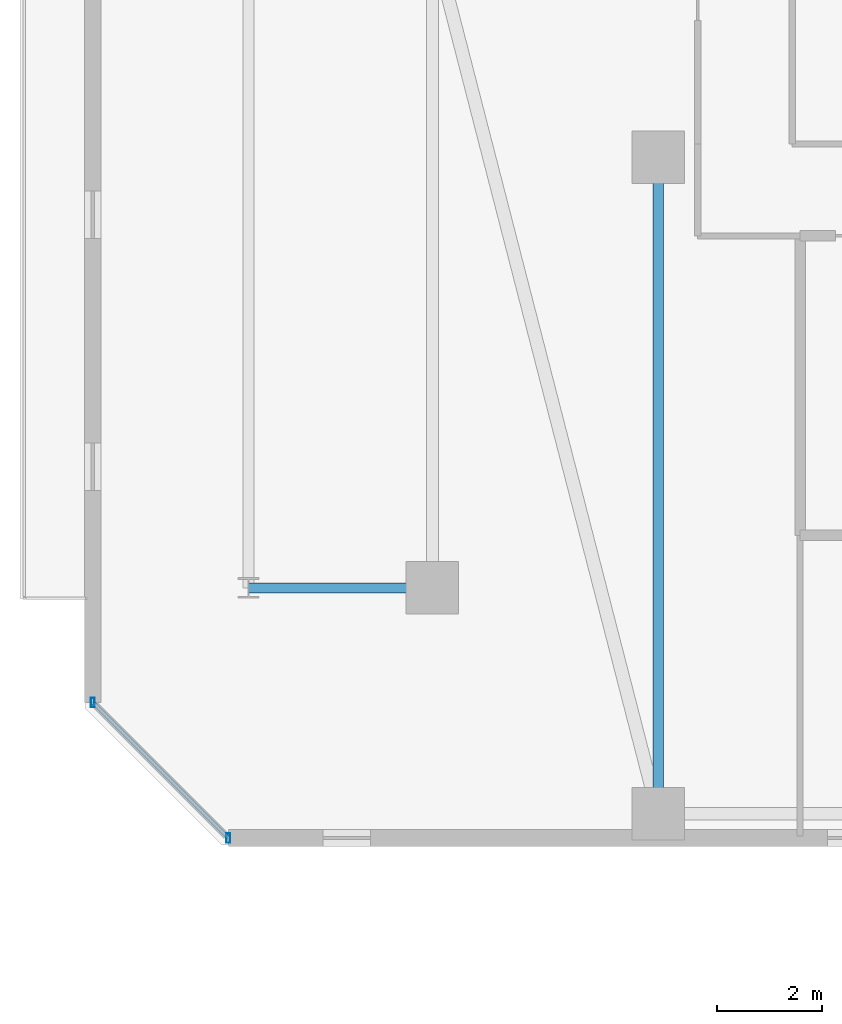
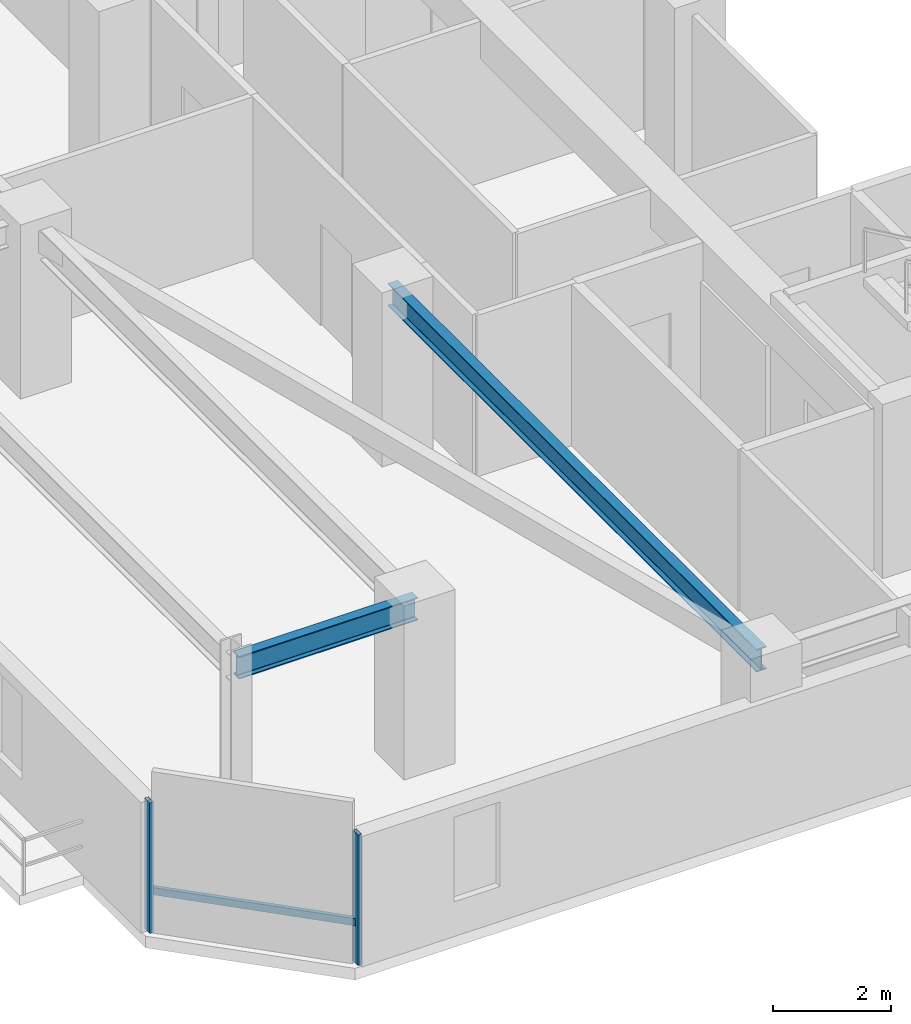
# One storey, part 3 of 33: 3 members, 2 beams, 1 element without a shape of its own.
"""IFC4 building model written with IfcOpenShell, lengths in metres."""

import ifcopenshell
import ifcopenshell.guid

model = None  # the IFC model being written
_history = None  # IfcOwnerHistory: only IFC2X3 demands one
_inside = {}  # id of a spatial element -> (the spatial element, [elements in it])
_under = {}  # id of a project, library or spatial element -> (it, [spatial elements below it])
_declared = {}  # id of a project -> (the project, [libraries it declares])
_typed = {}  # id of a type object -> (the type object, [elements of that type])
_made_of = {}  # id of a material, layer set ... -> (it, [elements and type objects made of it])


def new_model(schema):
    """Start an empty IFC model of exactly this schema.

    Asked for "IFC4X3", IfcOpenShell would pick the latest addendum, in which some entities
    have other attributes; the version numbers below select the first issue.
    IFC2X3 requires an IfcOwnerHistory on every rooted entity: one is made here for all.
    """
    global model, _history
    if schema == "IFC4X3":
        model = ifcopenshell.file(schema_version=(4, 3, 0, 0))
    else:
        model = ifcopenshell.file(schema=schema)
    _inside.clear()
    _under.clear()
    _declared.clear()
    _typed.clear()
    _made_of.clear()
    _history = None
    if model.schema == "IFC2X3":
        org = make("IfcOrganization", Name="unknown")
        user = make(
            "IfcPersonAndOrganization",
            ThePerson=make("IfcPerson", FamilyName="unknown"),
            TheOrganization=org,
        )
        app = make(
            "IfcApplication",
            ApplicationDeveloper=org,
            Version="unknown",
            ApplicationFullName="unknown",
            ApplicationIdentifier="unknown",
        )
        _history = make(
            "IfcOwnerHistory",
            OwningUser=user,
            OwningApplication=app,
            ChangeAction="ADDED",
            CreationDate=0,
        )
    return model


def make(cls, **values):
    """One entity of the class cls with the attributes given. An attribute that is None is left unset."""
    return model.create_entity(
        cls, **{name: value for name, value in values.items() if value is not None}
    )


def rooted(cls, **values):
    """An entity with a GlobalId (a new one), such as an element, a storey or a relation."""
    return make(cls, GlobalId=ifcopenshell.guid.new(), OwnerHistory=_history, **values)


def si_unit(unit_type, name, prefix=None):
    """IfcSIUnit, for example si_unit("LENGTHUNIT", "METRE", prefix="MILLI")."""
    return make("IfcSIUnit", UnitType=unit_type, Prefix=prefix, Name=name)


def assignment(units):
    """IfcUnitAssignment: the units of a project."""
    return None if units is None else make("IfcUnitAssignment", Units=units)


def point(xyz):
    """IfcCartesianPoint."""
    return None if xyz is None else make("IfcCartesianPoint", Coordinates=xyz)


def direction(xyz):
    """IfcDirection."""
    return None if xyz is None else make("IfcDirection", DirectionRatios=xyz)


def frame(location, z_axis=None, x_axis=None):
    """IfcAxis2Placement3D, a coordinate frame: its origin and axes. An axis left out is left unset."""
    return make(
        "IfcAxis2Placement3D",
        Location=point(location),
        Axis=direction(z_axis),
        RefDirection=direction(x_axis),
    )


def frame_2d(location, x_axis=None):
    """IfcAxis2Placement2D, a coordinate frame in the plane: its origin and x axis."""
    return make(
        "IfcAxis2Placement2D", Location=point(location), RefDirection=direction(x_axis)
    )


def origin():
    """The frame at (0, 0, 0) with its axes left unset."""
    return frame((0.0, 0.0, 0.0))


def origin_2d():
    """The frame at (0, 0) in the plane with its x axis left unset."""
    return frame_2d((0.0, 0.0))


def place(relative_to, where):
    """IfcLocalPlacement: puts the frame where relative to a parent placement (None: the world)."""
    return make(
        "IfcLocalPlacement", PlacementRelTo=relative_to, RelativePlacement=where
    )


def context(
    kind, dimensions, precision=None, world=None, true_north=None, identifier=None
):
    """IfcGeometricRepresentationContext, for example the 3D "Model" context."""
    return make(
        "IfcGeometricRepresentationContext",
        ContextIdentifier=identifier,
        ContextType=kind,
        CoordinateSpaceDimension=dimensions,
        Precision=precision,
        WorldCoordinateSystem=world,
        TrueNorth=true_north,
    )


def subcontext(parent, identifier, kind, view, scale=None):
    """IfcGeometricRepresentationSubContext, for example "Body" below "Model"."""
    return make(
        "IfcGeometricRepresentationSubContext",
        ContextIdentifier=identifier,
        ContextType=kind,
        ParentContext=parent,
        TargetScale=scale,
        TargetView=view,
    )


def project(units=None, contexts=None):
    """IfcProject with its units and contexts."""
    return rooted(
        "IfcProject",
        Name="project",
        RepresentationContexts=contexts,
        UnitsInContext=assignment(units),
    )


def spatial(cls, under=None, at=None, **own):
    """A site, building, storey or space (cls), placed at a placement, below another one or the project."""
    s = rooted(cls, ObjectPlacement=at, **own)
    if under is not None:
        _under.setdefault(under.id(), (under, []))[1].append(s)
    return s


def profile(cls, at=None, kind="AREA", **sizes):
    """A parametric profile (cls). Its sizes go by their IFC names, for example OverallWidth=200.0."""
    return make(cls, ProfileType=kind, Position=at, **sizes)


def hollow_rectangle(**sizes):
    """IfcRectangleHollowProfileDef."""
    return profile("IfcRectangleHollowProfileDef", **sizes)


def i_section(**sizes):
    """IfcIShapeProfileDef."""
    return profile("IfcIShapeProfileDef", **sizes)


def extrude(swept, where, along, depth):
    """IfcExtrudedAreaSolid: the profile swept, set in the frame where, extruded along a direction by depth."""
    return make(
        "IfcExtrudedAreaSolid",
        SweptArea=swept,
        Position=where,
        ExtrudedDirection=direction(along),
        Depth=depth,
    )


def shape(context_of_items, identifier, shape_type, items):
    """IfcShapeRepresentation: the items that make up one representation, for example the "Body"."""
    return make(
        "IfcShapeRepresentation",
        ContextOfItems=context_of_items,
        RepresentationIdentifier=identifier,
        RepresentationType=shape_type,
        Items=items,
    )


def material(Name=None, Category=None):
    """IfcMaterial."""
    return make("IfcMaterial", Name=Name, Category=Category)


def material_profile(
    of_material, cross_section, Name=None, Category=None, Priority=None
):
    """IfcMaterialProfile: a cross section and its material."""
    return make(
        "IfcMaterialProfile",
        Name=Name,
        Material=of_material,
        Profile=cross_section,
        Priority=Priority,
        Category=Category,
    )


def profile_set(profiles, Name=None, composite=None):
    """IfcMaterialProfileSet."""
    return make(
        "IfcMaterialProfileSet",
        Name=Name,
        MaterialProfiles=profiles,
        CompositeProfile=composite,
    )


def made_of(thing, what):
    """Note that an element or type object is made of a material, layer set ...; save() writes the relation."""
    if what is not None:
        _made_of.setdefault(what.id(), (what, []))[1].append(thing)
    return thing


def type_object(cls, material=None, **own):
    """A type object (cls), such as IfcWallType, which elements share."""
    return made_of(rooted(cls, **own), material)


def element(
    cls,
    number,
    at=None,
    inside=None,
    cuts=None,
    type_object=None,
    material=None,
    context=None,
    identifier="Body",
    shape_type=None,
    held_by="IfcProductDefinitionShape",
    body=None,
    shapes=None,
    **own,
):
    """One element of the class cls, such as IfcWall. Its Tag is "e" and its number.

    at: its placement. inside: the storey or other place that contains it. cuts: it is an
    opening in that element (IfcRelVoidsElement). A single representation is given by context,
    identifier, shape_type and body (its items); several are given by shapes. held_by: the class
    of the entity that holds the representations. save() writes the other relations.
    """
    e = rooted(cls, Tag="e%d" % number, ObjectPlacement=at, **own)
    if body is not None:
        shapes = [shape(context, identifier, shape_type, body)]
    if shapes is not None:
        e.Representation = make(held_by, Representations=shapes)
    if inside is not None:
        _inside.setdefault(inside.id(), (inside, []))[1].append(e)
    if cuts is not None:
        rooted(
            "IfcRelVoidsElement", RelatingBuildingElement=cuts, RelatedOpeningElement=e
        )
    if type_object is not None:
        _typed.setdefault(type_object.id(), (type_object, []))[1].append(e)
    return made_of(e, material)


def aggregate(whole, parts):
    """IfcRelAggregates: a whole, such as a stair, and the parts it consists of."""
    return rooted("IfcRelAggregates", RelatingObject=whole, RelatedObjects=parts)


def save(model, path):
    """Write the relations noted so far, then the file.

    IfcRelAggregates (storeys below a building ...), IfcRelContainedInSpatialStructure (elements
    in a storey), IfcRelDefinesByType, IfcRelAssociatesMaterial and IfcRelDeclares: one each for
    every whole, place, type object, material and project.
    """
    for whole, parts in _under.values():
        aggregate(whole, parts)
    for where, things in _inside.values():
        rooted(
            "IfcRelContainedInSpatialStructure",
            RelatedElements=things,
            RelatingStructure=where,
        )
    for kind, things in _typed.values():
        rooted("IfcRelDefinesByType", RelatedObjects=things, RelatingType=kind)
    for what, things in _made_of.values():
        rooted("IfcRelAssociatesMaterial", RelatedObjects=things, RelatingMaterial=what)
    for by, libraries in _declared.values():
        rooted("IfcRelDeclares", RelatingContext=by, RelatedDefinitions=libraries)
    model.write(path)


model = new_model("IFC4")

# Units and contexts
model_context = context("Model", 3, precision=1e-05, world=origin(), true_north=direction((0.0, 1.0)))
body_context = subcontext(model_context, "Body", "Model", "MODEL_VIEW")
ifc_project = project(units=[si_unit("LENGTHUNIT", "METRE"), si_unit("AREAUNIT", "SQUARE_METRE"), si_unit("VOLUMEUNIT", "CUBIC_METRE"), si_unit("PLANEANGLEUNIT", "RADIAN"), si_unit("MASSUNIT", "GRAM", prefix="KILO")], contexts=[model_context])

# Site, building, storey
site_placement = place(None, origin())
site = spatial("IfcSite", under=ifc_project, at=site_placement, CompositionType="ELEMENT")
building_placement = place(site_placement, origin())
building = spatial("IfcBuilding", under=site, at=building_placement, Name="Thornwick Lancets Civic Towers", CompositionType="ELEMENT")
storey_placement = place(building_placement, frame((0.0, 0.0, 210.89990234375)))
storey = spatial("IfcBuildingStorey", under=building, at=storey_placement, Name="L56", CompositionType="ELEMENT", Elevation=210.89990234375)

# Beams
ifc_material_1 = material(Name="Steel S355JR", Category="steel")
ifc_material_profile_1 = material_profile(ifc_material_1, i_section(OverallWidth=0.19287109375, OverallDepth=0.46728515625, WebThickness=0.011474609375, FlangeThickness=0.01953125, FilletRadius=0.01025390625, at=origin_2d()), Name="UKB 457x191x98")
ifc_profile_set_1 = profile_set([ifc_material_profile_1], Name="Steel S355JR")
beam_type = type_object("IfcBeamType", Name="BM_JOIST_457_98", PredefinedType="JOIST", material=ifc_profile_set_1)
beam_1_placement = place(storey_placement, frame((12.5, 22.199951171875, 3.12646484375), z_axis=(0.0, -1.0, 0.0), x_axis=(1.0, 0.0, 0.0)))
element("IfcBeam", 1, at=beam_1_placement, inside=storey, type_object=beam_type, Name="BM-RADIN-L56-A01", PredefinedType="JOIST", context=body_context, shape_type="SweptSolid", body=[
    extrude(i_section(OverallWidth=0.19287109375, OverallDepth=0.46728515625, WebThickness=0.011474609375, FlangeThickness=0.01953125, FilletRadius=0.01025390625, at=origin_2d()), origin(), (0.0, 0.0, 1.0), 12.5),
])
beam_2_placement = place(storey_placement, frame((8.199951171875, 14.0, 3.12646484375), z_axis=(-1.0, 0.0, 0.0), x_axis=(0.0, -1.0, 0.0)))
element("IfcBeam", 2, at=beam_2_placement, inside=storey, type_object=beam_type, Name="BM-RAD-L56-A10", PredefinedType="JOIST", context=body_context, shape_type="SweptSolid", body=[
    extrude(i_section(OverallWidth=0.19287109375, OverallDepth=0.46728515625, WebThickness=0.011474609375, FlangeThickness=0.01953125, FilletRadius=0.01025390625, at=origin_2d()), origin(), (0.0, 0.0, 1.0), 3.5),
])

# Curtain wall, members
ifc_material_2 = material(Name="High-zone chamfered-corner unitised glass curtain wall", Category="glass")
curtain_wall_type = type_object("IfcCurtainWallType", Name="CW_SYS_05", PredefinedType="NOTDEFINED", material=ifc_material_2)
curtain_wall_placement = place(storey_placement, origin())
curtain_wall = element("IfcCurtainWall", 3, at=curtain_wall_placement, inside=storey, type_object=curtain_wall_type, Name="L56 Curtain Wall CW-L56-A-E7", PredefinedType="NOTDEFINED")
ifc_material_3 = material(Name="Thermally broken bronze aluminium S355", Category="steel")
ifc_material_profile_2 = material_profile(ifc_material_3, hollow_rectangle(XDim=0.074951171875, YDim=0.179931640625, WallThickness=0.006103515625, at=origin_2d()), Name="RHS 180x75x6")
ifc_profile_set_2 = profile_set([ifc_material_profile_2], Name="Thermally broken bronze aluminium S355")
member_type_1 = type_object("IfcMemberType", Name="CW_MUL_180", PredefinedType="MULLION", material=ifc_profile_set_2)
member_1_placement = place(storey_placement, frame((1.7353515625, 11.818603515625, 0.0), z_axis=(0.0, 0.0, 1.0), x_axis=(1.0, 0.0, 0.0)))
member_1 = element("IfcMember", 4, at=member_1_placement, type_object=member_type_1, Name="CW-L56-A-E7 Mullion 0", PredefinedType="MULLION", context=body_context, shape_type="SweptSolid", body=[
    extrude(hollow_rectangle(XDim=0.074951171875, YDim=0.179931640625, WallThickness=0.006103515625, at=origin_2d()), origin(), (0.0, 0.0, 1.0), 2.7001953125),
])
member_2_placement = place(storey_placement, frame((4.318603515625, 9.2353515625, 0.0), z_axis=(0.0, 0.0, 1.0), x_axis=(1.0, 0.0, 0.0)))
member_2 = element("IfcMember", 5, at=member_2_placement, type_object=member_type_1, Name="CW-L56-A-E7 Mullion 1", PredefinedType="MULLION", context=body_context, shape_type="SweptSolid", body=[
    extrude(hollow_rectangle(XDim=0.074951171875, YDim=0.179931640625, WallThickness=0.006103515625, at=origin_2d()), origin(), (0.0, 0.0, 1.0), 2.7001953125),
])
ifc_material_profile_3 = material_profile(ifc_material_3, hollow_rectangle(XDim=0.074951171875, YDim=0.14990234375, WallThickness=0.0048828125, at=origin_2d()), Name="RHS 150x75x5")
ifc_profile_set_3 = profile_set([ifc_material_profile_3], Name="Thermally broken bronze aluminium S355")
member_type_2 = type_object("IfcMemberType", Name="CW_TRN_150", PredefinedType="USERDEFINED", material=ifc_profile_set_3)
member_3_placement = place(storey_placement, frame((1.74951171875, 11.804443359375, 0.85009765625), z_axis=(0.707106781187, -0.707106781187, 0.0), x_axis=(0.707106781187, 0.707106781187, 0.0)))
member_3 = element("IfcMember", 6, at=member_3_placement, type_object=member_type_2, Name="CW-L56-A-E7 Transom 0", ObjectType="TRANSOM", PredefinedType="USERDEFINED", context=body_context, shape_type="SweptSolid", body=[
    extrude(hollow_rectangle(XDim=0.074951171875, YDim=0.14990234375, WallThickness=0.0048828125, at=origin_2d()), origin(), (0.0, 0.0, 1.0), 3.61328125),
])
aggregate(curtain_wall, [member_1, member_2, member_3])

save(model, "model.ifc")
